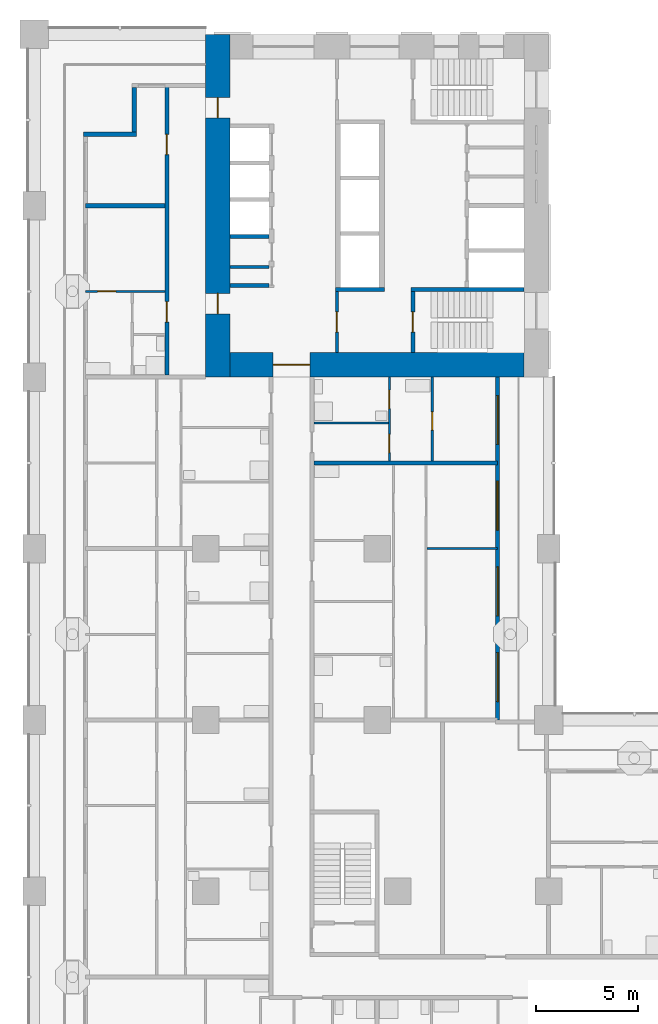
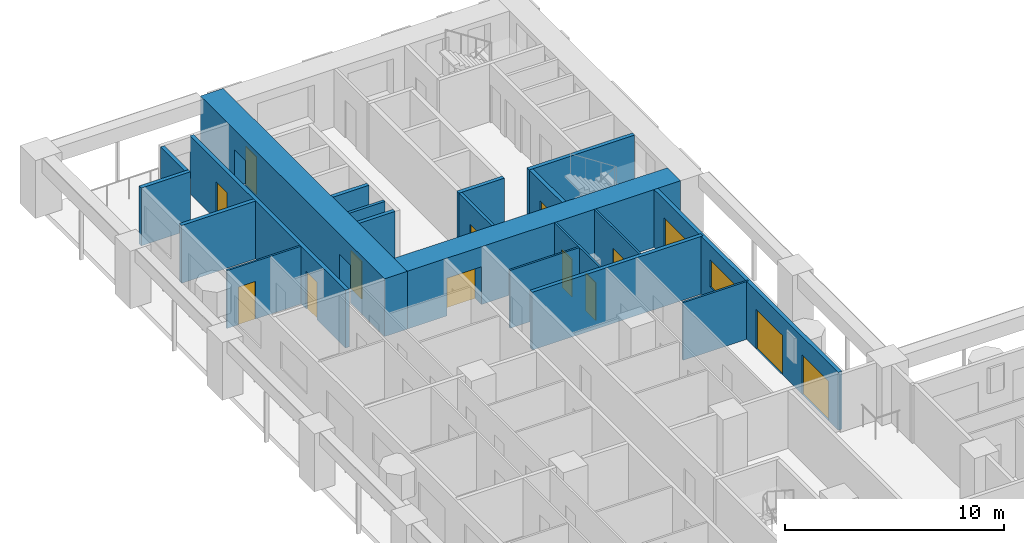
# One storey, part 9 of 22: 20 walls, 14 doors, 1 window, 15 openings.
"""IFC4 building model written with IfcOpenShell, lengths in metres."""

from ifc_helpers import new_model, si_unit, direction, frame, frame_2d, origin, place, context, subcontext, project, spatial, rectangle, extrude, material, layer, layer_set, type_object, element, fill, save


model = new_model("IFC4")

# Units and contexts
model_context = context("Model", 3, precision=1e-05, world=origin(), true_north=direction((0.0, 1.0)))
body_context = subcontext(model_context, "Body", "Model", "MODEL_VIEW")
ifc_project = project(units=[si_unit("LENGTHUNIT", "METRE"), si_unit("AREAUNIT", "SQUARE_METRE"), si_unit("VOLUMEUNIT", "CUBIC_METRE"), si_unit("PLANEANGLEUNIT", "RADIAN"), si_unit("MASSUNIT", "GRAM", prefix="KILO")], contexts=[model_context])

# Site, building, storey
site_placement = place(None, origin())
site = spatial("IfcSite", under=ifc_project, at=site_placement, CompositionType="ELEMENT")
building_placement = place(site_placement, origin())
building = spatial("IfcBuilding", under=site, at=building_placement, Name="Vermilion Gate Residences", CompositionType="ELEMENT")
storey_placement = place(building_placement, frame((0.0, 0.0, 63.699951171875)))
storey = spatial("IfcBuildingStorey", under=building, at=storey_placement, Name="L15", CompositionType="ELEMENT", Elevation=63.699951171875)

# Wall
ifc_material_1 = material(Name="Masonry blockwork", Category="masonry")
ifc_layer_1 = layer(ifc_material_1, 0.14990234375)
ifc_layer_set_1 = layer_set([ifc_layer_1], Name="BLOCKWORK PARTITION 150 EI 120")
wall_type_1 = type_object("IfcWallType", Name="BLOCKWORK PARTITION 150 EI 120", PredefinedType="PARTITIONING", material=ifc_layer_set_1)
wall_1_placement = place(storey_placement, frame((9.60009765625, 47.392578125, 0.0), z_axis=(0.0, 0.0, 1.0), x_axis=(1.0, 0.0, 0.0)))
element("IfcWall", 1, at=wall_1_placement, inside=storey, type_object=wall_type_1, Name="Core room partition B15-SR-P0", PredefinedType="PARTITIONING", context=body_context, shape_type="SweptSolid", body=[
    extrude(rectangle(XDim=1.89990234375, YDim=0.14990234375, at=frame_2d((0.949951171875, 0.0))), origin(), (0.0, 0.0, 1.0), 3.219970703125),
])

# Wall, opening, door
wall_2_placement = place(storey_placement, frame((14.824951171875, 46.199951171875, 0.0), z_axis=(0.0, 0.0, 1.0), x_axis=(0.0, -1.0, 0.0)))
wall_2 = element("IfcWall", 2, at=wall_2_placement, inside=storey, type_object=wall_type_1, Name="Core room partition B15-VE-S", PredefinedType="PARTITIONING", context=body_context, shape_type="SweptSolid", body=[
    extrude(rectangle(XDim=3.0, YDim=0.14990234375, at=frame_2d((1.5, 0.0))), origin(), (0.0, 0.0, 1.0), 3.219970703125),
])
opening_1_placement = place(wall_2_placement, frame((1.0, 0.0, 0.0)))
opening_1 = element("IfcOpeningElement", 3, at=opening_1_placement, cuts=wall_2, Name="Opening DK15116", PredefinedType="OPENING", context=body_context, shape_type="SweptSolid", body=[
    extrude(rectangle(XDim=1.0, YDim=2.10009765625, at=frame_2d((0.5, 1.050048828125))), frame((0.0, 0.0849609375, 0.0), z_axis=(0.0, -1.0, 0.0), x_axis=(1.0, 0.0, 0.0)), (0.0, 0.0, 1.0), 0.169921875),
])
ifc_material_2 = material(Name="Steel", Category="steel")
door_type_1 = type_object("IfcDoorType", Name="FIRE DOOR FD60 1000 X 2100", OperationType="SINGLE_SWING_LEFT", PredefinedType="DOOR", material=ifc_material_2)
door_1_placement = place(opening_1_placement, frame((1.0, 0.0, 0.0), z_axis=(0.0, 0.0, 1.0), x_axis=(-1.0, 0.0, 0.0)))
door_1 = element("IfcDoor", 4, at=door_1_placement, inside=storey, type_object=door_type_1, Name="Stair vestibule door B15", OperationType="SINGLE_SWING_LEFT", OverallHeight=2.10009765625, OverallWidth=1.0, PredefinedType="DOOR", context=body_context, shape_type="SweptSolid", body=[
    extrude(rectangle(XDim=1.0, YDim=2.10009765625, at=frame_2d((0.5, 1.050048828125))), frame((0.0, 0.02490234375, 0.0), z_axis=(0.0, -1.0, 0.0), x_axis=(1.0, 0.0, 0.0)), (0.0, 0.0, 1.0), 0.050048828125),
])
fill(opening_1, door_1)

# Walls
ifc_material_3 = material(Name="Insulated steel stud wall with terracotta rainscreen", Category="masonry")
ifc_layer_2 = layer(ifc_material_3, 0.199951171875)
ifc_layer_set_2 = layer_set([ifc_layer_2], Name="EXTERNAL WALL 200 TERRACOTTA RAINSCREEN")
wall_type_2 = type_object("IfcWallType", Name="EXTERNAL WALL 200 TERRACOTTA RAINSCREEN", PredefinedType="SOLIDWALL", material=ifc_layer_set_2)
wall_3_placement = place(storey_placement, frame((4.89990234375, 56.199951171875, 0.0), z_axis=(0.0, 0.0, 1.0), x_axis=(0.0, -1.0, 0.0)))
element("IfcWall", 5, at=wall_3_placement, inside=storey, type_object=wall_type_2, Name="External wall", PredefinedType="SOLIDWALL", context=body_context, shape_type="SweptSolid", body=[
    extrude(rectangle(XDim=2.199951171875, YDim=0.199951171875, at=frame_2d((1.10009765625, 0.0))), origin(), (0.0, 0.0, 1.0), 3.219970703125),
])
wall_4_placement = place(storey_placement, frame((5.0, 53.89990234375, 0.0), z_axis=(0.0, 0.0, 1.0), x_axis=(-1.0, 0.0, 0.0)))
element("IfcWall", 6, at=wall_4_placement, inside=storey, type_object=wall_type_2, Name="External wall", PredefinedType="SOLIDWALL", context=body_context, shape_type="SweptSolid", body=[
    extrude(rectangle(XDim=2.60009765625, YDim=0.199951171875, at=frame_2d((1.300048828125, 0.0))), origin(), (0.0, 0.0, 1.0), 3.219970703125),
])

# Wall, openings, doors, window
wall_5_placement = place(storey_placement, frame((22.699951171875, 25.199951171875, 0.0), z_axis=(0.0, 0.0, 1.0), x_axis=(0.0, 1.0, 0.0)))
wall_5 = element("IfcWall", 7, at=wall_5_placement, inside=storey, type_object=wall_type_2, Name="External wall", PredefinedType="SOLIDWALL", context=body_context, shape_type="SweptSolid", body=[
    extrude(rectangle(XDim=16.800048828125, YDim=0.199951171875, at=frame_2d((8.39990234375, 0.0))), origin(), (0.0, 0.0, 1.0), 3.219970703125),
])
opening_2_placement = place(wall_5_placement, frame((0.89990234375, 0.0, 0.0)))
opening_2 = element("IfcOpeningElement", 8, at=opening_2_placement, cuts=wall_5, Name="Opening DE15037", PredefinedType="OPENING", context=body_context, shape_type="SweptSolid", body=[
    extrude(rectangle(XDim=2.39990234375, YDim=2.199951171875, at=frame_2d((1.199951171875, 1.10009765625))), frame((0.0, 0.10986328125, 0.0), z_axis=(0.0, -1.0, 0.0), x_axis=(1.0, 0.0, 0.0)), (0.0, 0.0, 1.0), 0.219970703125),
])
opening_3_placement = place(wall_5_placement, frame((5.10009765625, 0.0, 0.0)))
opening_3 = element("IfcOpeningElement", 9, at=opening_3_placement, cuts=wall_5, Name="Opening DE15038", PredefinedType="OPENING", context=body_context, shape_type="SweptSolid", body=[
    extrude(rectangle(XDim=2.39990234375, YDim=2.199951171875, at=frame_2d((1.199951171875, 1.10009765625))), frame((0.0, 0.10986328125, 0.0), z_axis=(0.0, -1.0, 0.0), x_axis=(1.0, 0.0, 0.0)), (0.0, 0.0, 1.0), 0.219970703125),
])
opening_4_placement = place(wall_5_placement, frame((9.300048828125, 0.0, 0.89990234375)))
opening_4 = element("IfcOpeningElement", 10, at=opening_4_placement, cuts=wall_5, Name="Opening WE15039", PredefinedType="OPENING", context=body_context, shape_type="SweptSolid", body=[
    extrude(rectangle(XDim=2.39990234375, YDim=1.5, at=frame_2d((1.199951171875, 0.75))), frame((0.0, 0.10986328125, 0.0), z_axis=(0.0, -1.0, 0.0), x_axis=(1.0, 0.0, 0.0)), (0.0, 0.0, 1.0), 0.219970703125),
])
opening_5_placement = place(wall_5_placement, frame((13.5, 0.0, 0.0)))
opening_5 = element("IfcOpeningElement", 11, at=opening_5_placement, cuts=wall_5, Name="Opening DE15040", PredefinedType="OPENING", context=body_context, shape_type="SweptSolid", body=[
    extrude(rectangle(XDim=2.39990234375, YDim=2.199951171875, at=frame_2d((1.199951171875, 1.10009765625))), frame((0.0, 0.10986328125, 0.0), z_axis=(0.0, -1.0, 0.0), x_axis=(1.0, 0.0, 0.0)), (0.0, 0.0, 1.0), 0.219970703125),
])
ifc_material_4 = material(Name="Aluminium and clear glass", Category="aluminium")
door_type_2 = type_object("IfcDoorType", Name="SLIDING GLAZED DOOR 2400 X 2200", OperationType="DOUBLE_DOOR_SLIDING", PredefinedType="DOOR", material=ifc_material_4)
door_2_placement = place(opening_2_placement, origin())
door_2 = element("IfcDoor", 12, at=door_2_placement, inside=storey, type_object=door_type_2, Name="Loggia sliding door", OperationType="DOUBLE_DOOR_SLIDING", OverallHeight=2.199951171875, OverallWidth=2.39990234375, PredefinedType="DOOR", context=body_context, shape_type="SweptSolid", body=[
    extrude(rectangle(XDim=2.39990234375, YDim=2.199951171875, at=frame_2d((1.199951171875, 1.10009765625))), frame((0.0, 0.02490234375, 0.0), z_axis=(0.0, -1.0, 0.0), x_axis=(1.0, 0.0, 0.0)), (0.0, 0.0, 1.0), 0.050048828125),
])
fill(opening_2, door_2)
door_3_placement = place(opening_3_placement, origin())
door_3 = element("IfcDoor", 13, at=door_3_placement, inside=storey, type_object=door_type_2, Name="Loggia sliding door", OperationType="DOUBLE_DOOR_SLIDING", OverallHeight=2.199951171875, OverallWidth=2.39990234375, PredefinedType="DOOR", context=body_context, shape_type="SweptSolid", body=[
    extrude(rectangle(XDim=2.39990234375, YDim=2.199951171875, at=frame_2d((1.199951171875, 1.10009765625))), frame((0.0, 0.02490234375, 0.0), z_axis=(0.0, -1.0, 0.0), x_axis=(1.0, 0.0, 0.0)), (0.0, 0.0, 1.0), 0.050048828125),
])
fill(opening_3, door_3)
door_4_placement = place(opening_5_placement, origin())
door_4 = element("IfcDoor", 14, at=door_4_placement, inside=storey, type_object=door_type_2, Name="Loggia sliding door", OperationType="DOUBLE_DOOR_SLIDING", OverallHeight=2.199951171875, OverallWidth=2.39990234375, PredefinedType="DOOR", context=body_context, shape_type="SweptSolid", body=[
    extrude(rectangle(XDim=2.39990234375, YDim=2.199951171875, at=frame_2d((1.199951171875, 1.10009765625))), frame((0.0, 0.02490234375, 0.0), z_axis=(0.0, -1.0, 0.0), x_axis=(1.0, 0.0, 0.0)), (0.0, 0.0, 1.0), 0.050048828125),
])
fill(opening_5, door_4)
ifc_material_5 = material(Name="Aluminium and clear glass", Category="aluminium")
window_type = type_object("IfcWindowType", Name="WINDOW 2400 X 1500", PartitioningType="SINGLE_PANEL", PredefinedType="WINDOW", material=ifc_material_5)
window_placement = place(opening_4_placement, origin())
window = element("IfcWindow", 15, at=window_placement, inside=storey, type_object=window_type, Name="Window", OverallHeight=1.5, OverallWidth=2.39990234375, PartitioningType="SINGLE_PANEL", PredefinedType="WINDOW", context=body_context, shape_type="SweptSolid", body=[
    extrude(rectangle(XDim=2.39990234375, YDim=1.5, at=frame_2d((1.199951171875, 0.75))), frame((0.0, 0.030029296875, 0.0), z_axis=(0.0, -1.0, 0.0), x_axis=(1.0, 0.0, 0.0)), (0.0, 0.0, 1.0), 0.06005859375),
])
fill(opening_4, window)

# Walls
ifc_material_6 = material(Name="Plasterboard on steel studs", Category="steel")
ifc_layer_3 = layer(ifc_material_6, 0.10009765625)
ifc_layer_set_3 = layer_set([ifc_layer_3], Name="PARTITION 100")
wall_type_3 = type_object("IfcWallType", Name="PARTITION 100", PredefinedType="PARTITIONING", material=ifc_layer_set_3)
wall_6_placement = place(storey_placement, frame((19.25, 33.60009765625, 0.0), z_axis=(0.0, 0.0, 1.0), x_axis=(1.0, 0.0, 0.0)))
element("IfcWall", 16, at=wall_6_placement, inside=storey, type_object=wall_type_3, Name="Partition", PredefinedType="PARTITIONING", context=body_context, shape_type="SweptSolid", body=[
    extrude(rectangle(XDim=3.449951171875, YDim=0.10009765625, at=frame_2d((1.72509765625, 0.0))), origin(), (0.0, 0.0, 1.0), 3.219970703125),
])
wall_7_placement = place(storey_placement, frame((13.699951171875, 39.760009765625, 0.0), z_axis=(0.0, 0.0, 1.0), x_axis=(1.0, 0.0, 0.0)))
element("IfcWall", 17, at=wall_7_placement, inside=storey, type_object=wall_type_3, Name="Partition", PredefinedType="PARTITIONING", context=body_context, shape_type="SweptSolid", body=[
    extrude(rectangle(XDim=3.650146484375, YDim=0.10009765625, at=frame_2d((1.8251953125, 0.0))), origin(), (0.0, 0.0, 1.0), 3.219970703125),
])

# Wall, opening, door
wall_8_placement = place(storey_placement, frame((2.5, 46.199951171875, 0.0), z_axis=(0.0, 0.0, 1.0), x_axis=(1.0, 0.0, 0.0)))
wall_8 = element("IfcWall", 18, at=wall_8_placement, inside=storey, type_object=wall_type_3, Name="Partition", PredefinedType="PARTITIONING", context=body_context, shape_type="SweptSolid", body=[
    extrude(rectangle(XDim=3.89990234375, YDim=0.10009765625, at=frame_2d((1.949951171875, 0.0))), origin(), (0.0, 0.0, 1.0), 3.219970703125),
])
opening_6_placement = place(wall_8_placement, frame((0.60009765625, 0.0, 0.0)))
opening_6 = element("IfcOpeningElement", 19, at=opening_6_placement, cuts=wall_8, Name="Opening DA13044", PredefinedType="OPENING", context=body_context, shape_type="SweptSolid", body=[
    extrude(rectangle(XDim=0.89990234375, YDim=2.10009765625, at=frame_2d((0.449951171875, 1.050048828125))), frame((0.0, 0.06005859375, 0.0), z_axis=(0.0, -1.0, 0.0), x_axis=(1.0, 0.0, 0.0)), (0.0, 0.0, 1.0), 0.1201171875),
])
ifc_material_7 = material(Name="Timber", Category="wood")
door_type_3 = type_object("IfcDoorType", Name="INTERIOR DOOR 900 X 2100", OperationType="SINGLE_SWING_LEFT", PredefinedType="DOOR", material=ifc_material_7)
door_5_placement = place(opening_6_placement, frame((0.89990234375, 0.0, 0.0), z_axis=(0.0, 0.0, 1.0), x_axis=(-1.0, 0.0, 0.0)))
door_5 = element("IfcDoor", 20, at=door_5_placement, inside=storey, type_object=door_type_3, Name="Interior door", OperationType="SINGLE_SWING_RIGHT", OverallHeight=2.10009765625, OverallWidth=0.89990234375, PredefinedType="DOOR", context=body_context, shape_type="SweptSolid", body=[
    extrude(rectangle(XDim=0.89990234375, YDim=2.10009765625, at=frame_2d((0.449951171875, 1.050048828125))), frame((0.0, 0.02490234375, 0.0), z_axis=(0.0, -1.0, 0.0), x_axis=(1.0, 0.0, 0.0)), (0.0, 0.0, 1.0), 0.050048828125),
])
fill(opening_6, door_5)

# Wall, openings, doors
wall_9_placement = place(storey_placement, frame((17.39990234375, 37.89990234375, 0.0), z_axis=(0.0, 0.0, 1.0), x_axis=(0.0, 1.0, 0.0)))
wall_9 = element("IfcWall", 21, at=wall_9_placement, inside=storey, type_object=wall_type_3, Name="Partition", PredefinedType="PARTITIONING", context=body_context, shape_type="SweptSolid", body=[
    extrude(rectangle(XDim=4.10009765625, YDim=0.10009765625, at=frame_2d((2.050048828125, 0.0))), origin(), (0.0, 0.0, 1.0), 3.219970703125),
])
opening_7_placement = place(wall_9_placement, frame((0.39990234375, 0.0, 0.0)))
opening_7 = element("IfcOpeningElement", 22, at=opening_7_placement, cuts=wall_9, Name="Opening DA13072", PredefinedType="OPENING", context=body_context, shape_type="SweptSolid", body=[
    extrude(rectangle(XDim=0.89990234375, YDim=2.10009765625, at=frame_2d((0.449951171875, 1.050048828125))), frame((0.0, 0.06005859375, 0.0), z_axis=(0.0, -1.0, 0.0), x_axis=(1.0, 0.0, 0.0)), (0.0, 0.0, 1.0), 0.1201171875),
])
opening_8_placement = place(wall_9_placement, frame((2.56005859375, 0.0, 0.0)))
opening_8 = element("IfcOpeningElement", 23, at=opening_8_placement, cuts=wall_9, Name="Opening DA13073", PredefinedType="OPENING", context=body_context, shape_type="SweptSolid", body=[
    extrude(rectangle(XDim=0.89990234375, YDim=2.10009765625, at=frame_2d((0.449951171875, 1.050048828125))), frame((0.0, 0.06005859375, 0.0), z_axis=(0.0, -1.0, 0.0), x_axis=(1.0, 0.0, 0.0)), (0.0, 0.0, 1.0), 0.1201171875),
])
door_6_placement = place(opening_7_placement, frame((0.89990234375, 0.0, 0.0), z_axis=(0.0, 0.0, 1.0), x_axis=(-1.0, 0.0, 0.0)))
door_6 = element("IfcDoor", 24, at=door_6_placement, inside=storey, type_object=door_type_3, Name="Interior door", OperationType="SINGLE_SWING_RIGHT", OverallHeight=2.10009765625, OverallWidth=0.89990234375, PredefinedType="DOOR", context=body_context, shape_type="SweptSolid", body=[
    extrude(rectangle(XDim=0.89990234375, YDim=2.10009765625, at=frame_2d((0.449951171875, 1.050048828125))), frame((0.0, 0.02490234375, 0.0), z_axis=(0.0, -1.0, 0.0), x_axis=(1.0, 0.0, 0.0)), (0.0, 0.0, 1.0), 0.050048828125),
])
fill(opening_7, door_6)
door_7_placement = place(opening_8_placement, origin())
door_7 = element("IfcDoor", 25, at=door_7_placement, inside=storey, type_object=door_type_3, Name="Interior door", OperationType="SINGLE_SWING_LEFT", OverallHeight=2.10009765625, OverallWidth=0.89990234375, PredefinedType="DOOR", context=body_context, shape_type="SweptSolid", body=[
    extrude(rectangle(XDim=0.89990234375, YDim=2.10009765625, at=frame_2d((0.449951171875, 1.050048828125))), frame((0.0, 0.02490234375, 0.0), z_axis=(0.0, -1.0, 0.0), x_axis=(1.0, 0.0, 0.0)), (0.0, 0.0, 1.0), 0.050048828125),
])
fill(opening_8, door_7)

# Wall, opening, door
wall_10_placement = place(storey_placement, frame((19.5, 37.89990234375, 0.0), z_axis=(0.0, 0.0, 1.0), x_axis=(0.0, 1.0, 0.0)))
wall_10 = element("IfcWall", 26, at=wall_10_placement, inside=storey, type_object=wall_type_3, Name="Partition", PredefinedType="PARTITIONING", context=body_context, shape_type="SweptSolid", body=[
    extrude(rectangle(XDim=4.10009765625, YDim=0.10009765625, at=frame_2d((2.050048828125, 0.0))), origin(), (0.0, 0.0, 1.0), 3.219970703125),
])
opening_9_placement = place(wall_10_placement, frame((1.5, 0.0, 0.0)))
opening_9 = element("IfcOpeningElement", 27, at=opening_9_placement, cuts=wall_10, Name="Opening DA13080", PredefinedType="OPENING", context=body_context, shape_type="SweptSolid", body=[
    extrude(rectangle(XDim=0.89990234375, YDim=2.10009765625, at=frame_2d((0.449951171875, 1.050048828125))), frame((0.0, 0.06005859375, 0.0), z_axis=(0.0, -1.0, 0.0), x_axis=(1.0, 0.0, 0.0)), (0.0, 0.0, 1.0), 0.1201171875),
])
door_8_placement = place(opening_9_placement, origin())
door_8 = element("IfcDoor", 28, at=door_8_placement, inside=storey, type_object=door_type_3, Name="Interior door", OperationType="SINGLE_SWING_RIGHT", OverallHeight=2.10009765625, OverallWidth=0.89990234375, PredefinedType="DOOR", context=body_context, shape_type="SweptSolid", body=[
    extrude(rectangle(XDim=0.89990234375, YDim=2.10009765625, at=frame_2d((0.449951171875, 1.050048828125))), frame((0.0, 0.02490234375, 0.0), z_axis=(0.0, -1.0, 0.0), x_axis=(1.0, 0.0, 0.0)), (0.0, 0.0, 1.0), 0.050048828125),
])
fill(opening_9, door_8)

# Walls
ifc_material_8 = material(Name="Fire-rated plasterboard on steel studs", Category="steel")
ifc_layer_4 = layer(ifc_material_8, 0.199951171875)
ifc_layer_set_4 = layer_set([ifc_layer_4], Name="PARTY WALL 200 EI 120")
wall_type_4 = type_object("IfcWallType", Name="PARTY WALL 200 EI 120", PredefinedType="PARTITIONING", material=ifc_layer_set_4)
wall_11_placement = place(storey_placement, frame((13.699951171875, 37.800048828125, 0.0), z_axis=(0.0, 0.0, 1.0), x_axis=(1.0, 0.0, 0.0)))
element("IfcWall", 29, at=wall_11_placement, inside=storey, type_object=wall_type_4, Name="Party and corridor wall", PredefinedType="PARTITIONING", context=body_context, shape_type="SweptSolid", body=[
    extrude(rectangle(XDim=9.0, YDim=0.199951171875, at=frame_2d((4.5, 0.0))), origin(), (0.0, 0.0, 1.0), 3.219970703125),
])
wall_12_placement = place(storey_placement, frame((2.5, 50.39990234375, 0.0), z_axis=(0.0, 0.0, 1.0), x_axis=(1.0, 0.0, 0.0)))
element("IfcWall", 30, at=wall_12_placement, inside=storey, type_object=wall_type_4, Name="Party and corridor wall", PredefinedType="PARTITIONING", context=body_context, shape_type="SweptSolid", body=[
    extrude(rectangle(XDim=3.89990234375, YDim=0.199951171875, at=frame_2d((1.949951171875, 0.0))), origin(), (0.0, 0.0, 1.0), 3.219970703125),
])

# Wall, openings, doors
wall_13_placement = place(storey_placement, frame((6.5, 42.10009765625, 0.0), z_axis=(0.0, 0.0, 1.0), x_axis=(0.0, 1.0, 0.0)))
wall_13 = element("IfcWall", 31, at=wall_13_placement, inside=storey, type_object=wall_type_4, Name="Party and corridor wall", PredefinedType="PARTITIONING", context=body_context, shape_type="SweptSolid", body=[
    extrude(rectangle(XDim=14.199951171875, YDim=0.199951171875, at=frame_2d((7.10009765625, 0.0))), origin(), (0.0, 0.0, 1.0), 3.219970703125),
])
opening_10_placement = place(wall_13_placement, frame((2.60009765625, 0.0, 0.0)))
opening_10 = element("IfcOpeningElement", 32, at=opening_10_placement, cuts=wall_13, Name="Opening DA13053", PredefinedType="OPENING", context=body_context, shape_type="SweptSolid", body=[
    extrude(rectangle(XDim=1.0, YDim=2.10009765625, at=frame_2d((0.5, 1.050048828125))), frame((0.0, 0.10986328125, 0.0), z_axis=(0.0, -1.0, 0.0), x_axis=(1.0, 0.0, 0.0)), (0.0, 0.0, 1.0), 0.219970703125),
])
opening_11_placement = place(wall_13_placement, frame((10.800048828125, 0.0, 0.0)))
opening_11 = element("IfcOpeningElement", 33, at=opening_11_placement, cuts=wall_13, Name="Opening DA13054", PredefinedType="OPENING", context=body_context, shape_type="SweptSolid", body=[
    extrude(rectangle(XDim=1.0, YDim=2.10009765625, at=frame_2d((0.5, 1.050048828125))), frame((0.0, 0.10986328125, 0.0), z_axis=(0.0, -1.0, 0.0), x_axis=(1.0, 0.0, 0.0)), (0.0, 0.0, 1.0), 0.219970703125),
])
ifc_material_9 = material(Name="Steel", Category="steel")
door_type_4 = type_object("IfcDoorType", Name="ENTRANCE DOOR 1000 X 2100 FD30", OperationType="SINGLE_SWING_LEFT", PredefinedType="DOOR", material=ifc_material_9)
door_9_placement = place(opening_10_placement, origin())
door_9 = element("IfcDoor", 34, at=door_9_placement, inside=storey, type_object=door_type_4, Name="Entrance door", OperationType="SINGLE_SWING_RIGHT", OverallHeight=2.10009765625, OverallWidth=1.0, PredefinedType="DOOR", context=body_context, shape_type="SweptSolid", body=[
    extrude(rectangle(XDim=1.0, YDim=2.10009765625, at=frame_2d((0.5, 1.050048828125))), frame((0.0, 0.02490234375, 0.0), z_axis=(0.0, -1.0, 0.0), x_axis=(1.0, 0.0, 0.0)), (0.0, 0.0, 1.0), 0.050048828125),
])
fill(opening_10, door_9)
door_10_placement = place(opening_11_placement, origin())
door_10 = element("IfcDoor", 35, at=door_10_placement, inside=storey, type_object=door_type_4, Name="Entrance door", OperationType="SINGLE_SWING_RIGHT", OverallHeight=2.10009765625, OverallWidth=1.0, PredefinedType="DOOR", context=body_context, shape_type="SweptSolid", body=[
    extrude(rectangle(XDim=1.0, YDim=2.10009765625, at=frame_2d((0.5, 1.050048828125))), frame((0.0, 0.02490234375, 0.0), z_axis=(0.0, -1.0, 0.0), x_axis=(1.0, 0.0, 0.0)), (0.0, 0.0, 1.0), 0.050048828125),
])
fill(opening_11, door_10)

# Walls
ifc_material_10 = material(Name="Concrete C60", Category="concrete")
ifc_layer_5 = layer(ifc_material_10, 0.199951171875)
ifc_layer_set_5 = layer_set([ifc_layer_5], Name="RC CORE INTERNAL WALL 200 C60")
wall_type_5 = type_object("IfcWallType", Name="RC CORE INTERNAL WALL 200 C60", PredefinedType="SHEAR", material=ifc_layer_set_5)
for number, where, z_axis, x_axis, name in (
    (36, (9.60009765625, 48.89990234375, 0.0), (0.0, 0.0, 1.0), (1.0, 0.0, 0.0), "Core internal wall B15-LR-D3"),
    (37, (9.60009765625, 46.5, 0.0), (0.0, 0.0, 1.0), (1.0, 0.0, 0.0), "Core internal wall B15-LR-DE"),
):
    element("IfcWall", number, at=place(storey_placement, frame(where, z_axis=z_axis, x_axis=x_axis)), inside=storey, type_object=wall_type_5, Name=name, PredefinedType="SHEAR", context=body_context, shape_type="SweptSolid", body=[
        extrude(rectangle(XDim=1.89990234375, YDim=0.199951171875, at=frame_2d((0.949951171875, 0.0))), origin(), (0.0, 0.0, 1.0), 3.219970703125),
    ])
wall_14_placement = place(storey_placement, frame((14.75, 46.300048828125, 0.0), z_axis=(0.0, 0.0, 1.0), x_axis=(1.0, 0.0, 0.0)))
element("IfcWall", 38, at=wall_14_placement, inside=storey, type_object=wall_type_5, Name="Core internal wall B15-EDIV1", PredefinedType="SHEAR", context=body_context, shape_type="SweptSolid", body=[
    extrude(rectangle(XDim=2.39990234375, YDim=0.199951171875, at=frame_2d((1.199951171875, 0.0))), origin(), (0.0, 0.0, 1.0), 3.219970703125),
])
wall_15_placement = place(storey_placement, frame((18.449951171875, 46.300048828125, 0.0), z_axis=(0.0, 0.0, 1.0), x_axis=(1.0, 0.0, 0.0)))
element("IfcWall", 39, at=wall_15_placement, inside=storey, type_object=wall_type_5, Name="Core internal wall B15-EDIV2", PredefinedType="SHEAR", context=body_context, shape_type="SweptSolid", body=[
    extrude(rectangle(XDim=5.550048828125, YDim=0.199951171875, at=frame_2d((2.77490234375, 0.0))), origin(), (0.0, 0.0, 1.0), 3.219970703125),
])

# Wall, opening, door
wall_16_placement = place(storey_placement, frame((18.550048828125, 46.199951171875, 0.0), z_axis=(0.0, 0.0, 1.0), x_axis=(0.0, -1.0, 0.0)))
wall_16 = element("IfcWall", 40, at=wall_16_placement, inside=storey, type_object=wall_type_5, Name="Core internal wall B15-STE-S", PredefinedType="SHEAR", context=body_context, shape_type="SweptSolid", body=[
    extrude(rectangle(XDim=3.0, YDim=0.199951171875, at=frame_2d((1.5, 0.0))), origin(), (0.0, 0.0, 1.0), 3.219970703125),
])
opening_12_placement = place(wall_16_placement, frame((1.0, 0.0, 0.0)))
opening_12 = element("IfcOpeningElement", 41, at=opening_12_placement, cuts=wall_16, Name="Opening DK15117", PredefinedType="OPENING", context=body_context, shape_type="SweptSolid", body=[
    extrude(rectangle(XDim=1.0, YDim=2.10009765625, at=frame_2d((0.5, 1.050048828125))), frame((0.0, 0.10986328125, 0.0), z_axis=(0.0, -1.0, 0.0), x_axis=(1.0, 0.0, 0.0)), (0.0, 0.0, 1.0), 0.219970703125),
])
door_11_placement = place(opening_12_placement, origin())
door_11 = element("IfcDoor", 42, at=door_11_placement, inside=storey, type_object=door_type_1, Name="Stair door B15", OperationType="SINGLE_SWING_LEFT", OverallHeight=2.10009765625, OverallWidth=1.0, PredefinedType="DOOR", context=body_context, shape_type="SweptSolid", body=[
    extrude(rectangle(XDim=1.0, YDim=2.10009765625, at=frame_2d((0.5, 1.050048828125))), frame((0.0, 0.02490234375, 0.0), z_axis=(0.0, -1.0, 0.0), x_axis=(1.0, 0.0, 0.0)), (0.0, 0.0, 1.0), 0.050048828125),
])
fill(opening_12, door_11)

# Wall, openings, doors
ifc_material_11 = material(Name="Concrete C80", Category="concrete")
ifc_layer_6 = layer(ifc_material_11, 1.199951171875)
ifc_layer_set_6 = layer_set([ifc_layer_6], Name="RC CORE WALL 1200 C80")
wall_type_6 = type_object("IfcWallType", Name="RC CORE WALL 1200 C80", PredefinedType="SHEAR", material=ifc_layer_set_6)
wall_17_placement = place(storey_placement, frame((9.0, 58.800048828125, 0.0), z_axis=(0.0, 0.0, 1.0), x_axis=(0.0, -1.0, 0.0)))
wall_17 = element("IfcWall", 43, at=wall_17_placement, inside=storey, type_object=wall_type_6, Name="Core wall B15-OUT-B0", PredefinedType="SHEAR", context=body_context, shape_type="SweptSolid", body=[
    extrude(rectangle(XDim=16.800048828125, YDim=1.199951171875, at=frame_2d((8.39990234375, 0.0))), origin(), (0.0, 0.0, 1.0), 3.219970703125),
])
opening_13_placement = place(wall_17_placement, frame((3.10009765625, 0.0, 0.0)))
opening_13 = element("IfcOpeningElement", 44, at=opening_13_placement, cuts=wall_17, Name="Opening DK15101", PredefinedType="OPENING", context=body_context, shape_type="SweptSolid", body=[
    extrude(rectangle(XDim=1.0, YDim=2.10009765625, at=frame_2d((0.5, 1.050048828125))), frame((0.0, 0.60986328125, 0.0), z_axis=(0.0, -1.0, 0.0), x_axis=(1.0, 0.0, 0.0)), (0.0, 0.0, 1.0), 1.219970703125),
])
opening_14_placement = place(wall_17_placement, frame((12.699951171875, 0.0, 0.0)))
opening_14 = element("IfcOpeningElement", 45, at=opening_14_placement, cuts=wall_17, Name="Opening DK15102", PredefinedType="OPENING", context=body_context, shape_type="SweptSolid", body=[
    extrude(rectangle(XDim=1.0, YDim=2.10009765625, at=frame_2d((0.5, 1.050048828125))), frame((0.0, 0.60986328125, 0.0), z_axis=(0.0, -1.0, 0.0), x_axis=(1.0, 0.0, 0.0)), (0.0, 0.0, 1.0), 1.219970703125),
])
door_12_placement = place(opening_13_placement, origin())
door_12 = element("IfcDoor", 46, at=door_12_placement, inside=storey, type_object=door_type_1, Name="Core lobby side door B15", OperationType="SINGLE_SWING_RIGHT", OverallHeight=2.10009765625, OverallWidth=1.0, PredefinedType="DOOR", context=body_context, shape_type="SweptSolid", body=[
    extrude(rectangle(XDim=1.0, YDim=2.10009765625, at=frame_2d((0.5, 1.050048828125))), frame((0.0, 0.02490234375, 0.0), z_axis=(0.0, -1.0, 0.0), x_axis=(1.0, 0.0, 0.0)), (0.0, 0.0, 1.0), 0.050048828125),
])
fill(opening_13, door_12)
door_13_placement = place(opening_14_placement, origin())
door_13 = element("IfcDoor", 47, at=door_13_placement, inside=storey, type_object=door_type_1, Name="Core lobby side door B15", OperationType="SINGLE_SWING_LEFT", OverallHeight=2.10009765625, OverallWidth=1.0, PredefinedType="DOOR", context=body_context, shape_type="SweptSolid", body=[
    extrude(rectangle(XDim=1.0, YDim=2.10009765625, at=frame_2d((0.5, 1.050048828125))), frame((0.0, 0.02490234375, 0.0), z_axis=(0.0, -1.0, 0.0), x_axis=(1.0, 0.0, 0.0)), (0.0, 0.0, 1.0), 0.050048828125),
])
fill(opening_14, door_13)

# Wall, opening, door
wall_18_placement = place(storey_placement, frame((9.60009765625, 42.60009765625, 0.0), z_axis=(0.0, 0.0, 1.0), x_axis=(1.0, 0.0, 0.0)))
wall_18 = element("IfcWall", 48, at=wall_18_placement, inside=storey, type_object=wall_type_6, Name="Core wall B15-OUT-BK", PredefinedType="SHEAR", context=body_context, shape_type="SweptSolid", body=[
    extrude(rectangle(XDim=14.39990234375, YDim=1.199951171875, at=frame_2d((7.199951171875, 0.0))), origin(), (0.0, 0.0, 1.0), 3.219970703125),
])
opening_15_placement = place(wall_18_placement, frame((2.10009765625, 0.0, 0.0)))
opening_15 = element("IfcOpeningElement", 49, at=opening_15_placement, cuts=wall_18, Name="Opening DK15103", PredefinedType="OPENING", context=body_context, shape_type="SweptSolid", body=[
    extrude(rectangle(XDim=1.800048828125, YDim=2.10009765625, at=frame_2d((0.89990234375, 1.050048828125))), frame((0.0, 0.60986328125, 0.0), z_axis=(0.0, -1.0, 0.0), x_axis=(1.0, 0.0, 0.0)), (0.0, 0.0, 1.0), 1.219970703125),
])
ifc_material_12 = material(Name="Steel", Category="steel")
door_type_5 = type_object("IfcDoorType", Name="CORE LOBBY DOOR FD60 1800 X 2100", OperationType="DOUBLE_DOOR_SINGLE_SWING", PredefinedType="DOOR", material=ifc_material_12)
door_14_placement = place(opening_15_placement, origin())
door_14 = element("IfcDoor", 50, at=door_14_placement, inside=storey, type_object=door_type_5, Name="Core lobby door B15", OperationType="DOUBLE_DOOR_SINGLE_SWING", OverallHeight=2.10009765625, OverallWidth=1.800048828125, PredefinedType="DOOR", context=body_context, shape_type="SweptSolid", body=[
    extrude(rectangle(XDim=1.800048828125, YDim=2.10009765625, at=frame_2d((0.89990234375, 1.050048828125))), frame((0.0, 0.02490234375, 0.0), z_axis=(0.0, -1.0, 0.0), x_axis=(1.0, 0.0, 0.0)), (0.0, 0.0, 1.0), 0.050048828125),
])
fill(opening_15, door_14)

save(model, "model.ifc")
